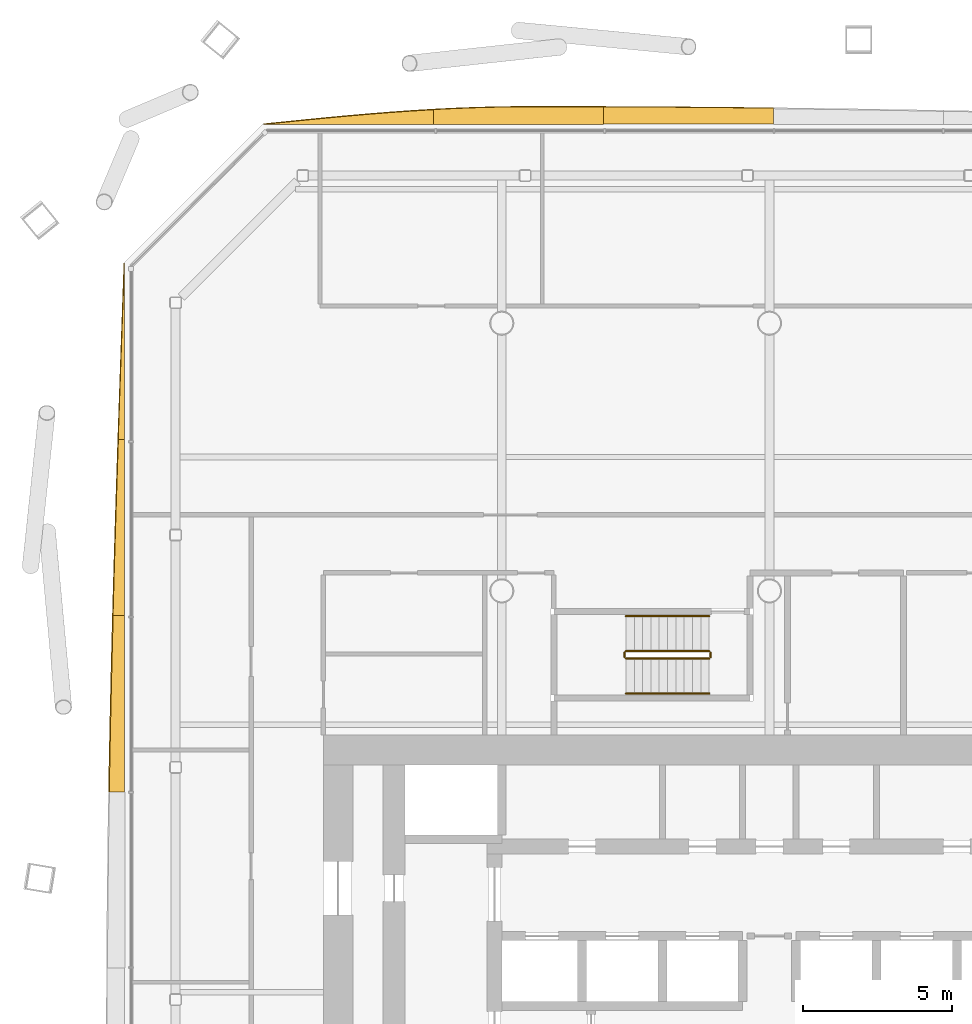
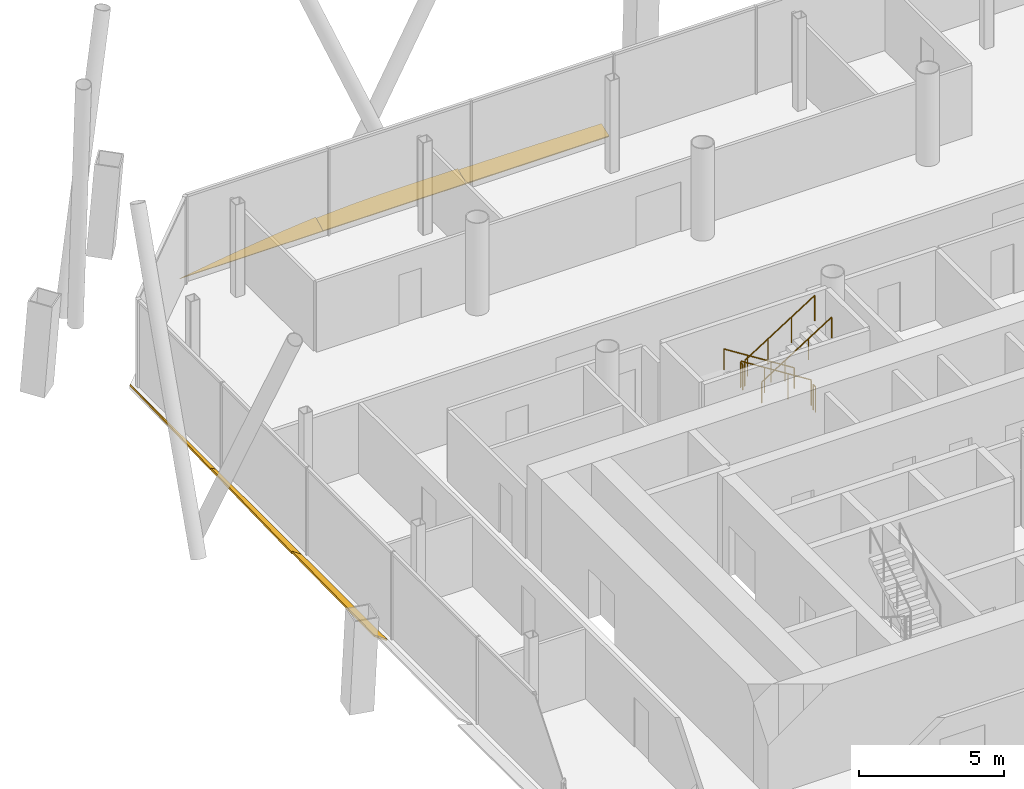
# One storey, part 21 of 22: 6 railings, 6 shading devices.
"""IFC4 building model written with IfcOpenShell, lengths in metres."""

from ifc_helpers import new_model, si_unit, direction, frame, origin, origin_2d, place, context, subcontext, project, spatial, polyline, circle, outline, extrude, material, layer, layer_set, type_object, element, save


model = new_model("IFC4")

# Units and contexts
model_context = context("Model", 3, precision=1e-05, world=origin(), true_north=direction((0.0, 1.0)))
body_context = subcontext(model_context, "Body", "Model", "MODEL_VIEW")
ifc_project = project(units=[si_unit("LENGTHUNIT", "METRE"), si_unit("AREAUNIT", "SQUARE_METRE"), si_unit("VOLUMEUNIT", "CUBIC_METRE"), si_unit("PLANEANGLEUNIT", "RADIAN"), si_unit("MASSUNIT", "GRAM", prefix="KILO")], contexts=[model_context])

# Site, building, storey
site_placement = place(None, origin())
site = spatial("IfcSite", under=ifc_project, at=site_placement, CompositionType="ELEMENT")
building_placement = place(site_placement, origin())
building = spatial("IfcBuilding", under=site, at=building_placement, Name="Tskaro Facet Tower", CompositionType="ELEMENT")
storey_placement = place(building_placement, frame((0.0, 0.0, 85.5)))
storey = spatial("IfcBuildingStorey", under=building, at=storey_placement, Name="L20", CompositionType="ELEMENT", Elevation=85.5)

# Shading devices
ifc_material_1 = material(Name="Bronze anodised aluminium 6063-T6", Category="aluminium")
ifc_layer = layer(ifc_material_1, 0.06005859375, Name="Bronze anodised aluminium 6063-T6")
ifc_layer_set = layer_set([ifc_layer], Name="Bronze anodised aluminium 6063-T6")
shading_device_type = type_object("IfcShadingDeviceType", Name="Bronze sun blade (FN1)", PredefinedType="USERDEFINED", material=ifc_layer_set)
shading_device_1_placement = place(storey_placement, frame((0.140380859375, 24.6923828125, 0.056396484375), z_axis=(-5.897711e-06, -0.341900294808, 0.939736233406), x_axis=(-0.999999999983, 2.016429e-06, -5.542293e-06)))
element("IfcShadingDevice", 1, at=shading_device_1_placement, inside=storey, type_object=shading_device_type, Name="Fin blade north 5", ObjectType="FIN", PredefinedType="USERDEFINED", context=body_context, shape_type="SweptSolid", body=[
    extrude(outline(polyline([(0.0, 0.0), (5.718994140525538, 0.0), (5.7189941406451235, -0.6198681906355855), (5.004150389670152, -0.6165517423412149), (4.289306640416793, -0.6126094949607919), (3.5744628905473634, -0.6076660646632539), (2.8596191410464487, -0.6021803070313269), (2.1445312503044676, -0.5956933664822851), (1.4296875000637042, -0.5884346708074913), (0.7148437501914552, -0.5806336477983086), (-2.968640489022583e-10, -0.571831441872011), (0.0, 0.0)])), origin(), (0.0, 0.0, -1.0), 0.06005859375),
])
shading_device_2_placement = place(storey_placement, frame((-5.57861328125, 24.687744140625, 0.054443359375), z_axis=(-3.791058e-06, -0.422559660353, 0.906335110998), x_axis=(-0.999999999993, 1.601948e-06, -3.435969e-06)))
element("IfcShadingDevice", 2, at=shading_device_2_placement, inside=storey, type_object=shading_device_type, Name="Fin blade north 6", ObjectType="FIN", PredefinedType="USERDEFINED", context=body_context, shape_type="SweptSolid", body=[
    extrude(outline(polyline([(0.0, 0.0), (5.719238281208901, 0.0), (5.719238281304203, -0.5454650681544171), (5.004394531367578, -0.5847861089529737), (4.289550781555286, -0.6149332365826206), (3.5744628904601266, -0.6354639046024375), (2.859619140618715, -0.6459505118328059), (2.4707031248265343, -0.6475876430943039), (2.144775390062776, -0.6473663698738439), (1.4299316405723301, -0.6464962222533053), (0.7150878907474421, -0.6448590909918072), (-3.688644383221376e-11, -0.6424549760893498), (0.0, 0.0)])), origin(), (0.0, 0.0, -1.0), 0.06005859375),
])
shading_device_3_placement = place(storey_placement, frame((-11.2978515625, 24.68310546875, 0.052001953125), z_axis=(3.998263e-06, -0.500000896548, 0.866024886152), x_axis=(-0.999999999992, -1.999135e-06, 3.462596e-06)))
element("IfcShadingDevice", 3, at=shading_device_3_placement, inside=storey, type_object=shading_device_type, Name="Fin blade north 7", ObjectType="FIN", PredefinedType="USERDEFINED", context=body_context, shape_type="SweptSolid", body=[
    extrude(outline(polyline([(0.0, 0.0), (5.7192382812042855, 0.0), (5.004150390411285, -0.08454775902130868), (4.289306640992911, -0.1677942176949855), (3.5744628904069375, -0.24861679832457376), (2.8596191403791336, -0.32529133684849676), (2.1447753906829905, -0.39693939663306743), (1.429687499621638, -0.46256047051321403), (0.714843750528134, -0.5207638968157171), (-1.1589068039175877e-10, -0.5708499615580647), (0.0, 0.0)])), origin(), (0.0, 0.0, -1.0), 0.06005859375),
])
shading_device_4_placement = place(storey_placement, frame((-21.687744140625, 20.01708984375, 0.054443359375), z_axis=(0.422841773854, -1.284834e-05, 0.906203527978), x_axis=(-5.432815e-06, -0.999999999917, -1.1643211e-05)))
element("IfcShadingDevice", 4, at=shading_device_4_placement, inside=storey, type_object=shading_device_type, Name="Fin blade west 1", ObjectType="FIN", PredefinedType="USERDEFINED", context=body_context, shape_type="SweptSolid", body=[
    extrude(outline(polyline([(0.0, 0.0), (5.924316405761008, 0.0), (5.924316406757347, -0.22707675568516875), (5.183593748879961, -0.19965821973933967), (4.443115233143764, -0.17191520984284137), (3.7026367189237783, -0.1438477259956738), (2.962158202051051, -0.11533775995707443), (2.2216796880209038, -0.08672456106352172), (1.4812011726643861, -0.05789012107425312), (0.7407226559814977, -0.028834439989268608), (0.0, 0.0)])), origin(), (0.0, 0.0, -1.0), 0.06005859375),
])
shading_device_5_placement = place(storey_placement, frame((-21.68310546875, 14.0927734375, 0.052001953125), z_axis=(0.500100058314, 5.39343e-07, 0.865967627382), x_axis=(2.69726e-07, -1.0, 4.67054e-07)))
element("IfcShadingDevice", 5, at=shading_device_5_placement, inside=storey, type_object=shading_device_type, Name="Fin blade west 2", ObjectType="FIN", PredefinedType="USERDEFINED", context=body_context, shape_type="SweptSolid", body=[
    extrude(outline(polyline([(0.0, 0.0), (5.9240722656241385, 1.5680888721561888e-22), (5.924072265637896, -0.4451792326218763), (5.183593749939497, -0.4219824190856385), (4.443115234390475, -0.3978178392974857), (3.7023925780719256, -0.3726527216535982), (2.961914062510078, -0.3470647682541529), (2.22143554691773, -0.32059837173977224), (1.4809570312290303, -0.293464949988235), (0.7404785156720325, -0.26590869248114013), (1.8682841476430557e-11, -0.2376854097368887), (0.0, 0.0)])), origin(), (0.0, 0.0, -1.0), 0.06005859375),
])
shading_device_6_placement = place(storey_placement, frame((-21.678466796875, 8.168701171875, 0.049072265625), z_axis=(0.573602158049, -8.359821e-06, 0.819134033118), x_axis=(-4.795211e-06, -0.999999999965, -6.847814e-06)))
element("IfcShadingDevice", 6, at=shading_device_6_placement, inside=storey, type_object=shading_device_type, Name="Fin blade west 3", ObjectType="FIN", PredefinedType="USERDEFINED", context=body_context, shape_type="SweptSolid", body=[
    extrude(outline(polyline([(0.0, 0.0), (5.924072265417993, 0.0), (5.924072266652094, -0.6305645532807228), (5.183593749692545, -0.6145839581541468), (4.443115234236366, -0.5975832925750205), (3.7026367179421453, -0.5791625887537217), (2.962158203151297, -0.5597218144798726), (2.2214355463962923, -0.5392010254480344), (1.480957030598944, -0.5174601820688347), (0.7404785163049665, -0.49469926823708477), (6.718248462101783e-10, -0.47085833964734575), (0.0, 0.0)])), origin(), (0.0, 0.0, -1.0), 0.06005859375),
])

# Railings
ifc_material_2 = material(Name="Stainless steel", Category="steel")
railing_type_1 = type_object("IfcRailingType", Name="RL-GUARD-1100", PredefinedType="GUARDRAIL", material=ifc_material_2)
railing_1_placement = place(storey_placement, frame((-2.02490234375, 6.97509765625, 0.17724609375)))
element("IfcRailing", 7, at=railing_1_placement, inside=storey, type_object=railing_type_1, Name="L20 ST-3 stair guard 1", PredefinedType="GUARDRAIL", context=body_context, shape_type="SweptSolid", body=[
    extrude(circle(Radius=0.02392578125, at=origin_2d()), frame((0.0, 0.0, 1.076171875), z_axis=(-0.844908973607, 0.0, 0.534910110503), x_axis=(0.0, -1.0, 0.0)), (0.0, 0.0, 1.0), 3.31396484375),
    extrude(circle(Radius=0.02099609375, at=origin_2d()), origin(), (0.0, 0.0, 1.0), 1.052001953125),
    extrude(circle(Radius=0.02099609375, at=origin_2d()), frame((-0.933349609375, 0.0, 0.5908203125)), (0.0, 0.0, 1.0), 1.052001953125),
    extrude(circle(Radius=0.02099609375, at=origin_2d()), frame((-1.86669921875, 0.0, 1.181884765625)), (0.0, 0.0, 1.0), 1.052001953125),
    extrude(circle(Radius=0.02099609375, at=origin_2d()), frame((-2.800048828125, 0.0, 1.772705078125)), (0.0, 0.0, 1.0), 1.052001953125),
])
railing_2_placement = place(storey_placement, frame((-4.875, 6.925048828125, 1.949951171875)))
element("IfcRailing", 8, at=railing_2_placement, inside=storey, type_object=railing_type_1, Name="L20 ST-3 stair guard 2", PredefinedType="GUARDRAIL", context=body_context, shape_type="SweptSolid", body=[
    extrude(circle(Radius=0.02392578125, at=origin_2d()), frame((0.0, 0.0, 1.076171875), z_axis=(0.0, -1.0, 0.0), x_axis=(1.0, 0.0, 0.0)), (0.0, 0.0, 1.0), 0.150146484375),
    extrude(circle(Radius=0.02099609375, at=origin_2d()), origin(), (0.0, 0.0, 1.0), 1.052001953125),
    extrude(circle(Radius=0.02099609375, at=origin_2d()), frame((0.0, -0.150146484375, 0.0)), (0.0, 0.0, 1.0), 1.052001953125),
])
railing_3_placement = place(storey_placement, frame((-4.824951171875, 6.72509765625, 2.127197265625)))
element("IfcRailing", 9, at=railing_3_placement, inside=storey, type_object=railing_type_1, Name="L20 ST-3 stair guard 3", PredefinedType="GUARDRAIL", context=body_context, shape_type="SweptSolid", body=[
    extrude(circle(Radius=0.02392578125, at=origin_2d()), frame((0.0, 0.0, 1.076171875), z_axis=(0.844908973607, 0.0, 0.534910110503), x_axis=(0.0, 1.0, 0.0)), (0.0, 0.0, 1.0), 3.31396484375),
    extrude(circle(Radius=0.02099609375, at=origin_2d()), origin(), (0.0, 0.0, 1.0), 1.052001953125),
    extrude(circle(Radius=0.02099609375, at=origin_2d()), frame((0.933349609375, 0.0, 0.5908203125)), (0.0, 0.0, 1.0), 1.052001953125),
    extrude(circle(Radius=0.02099609375, at=origin_2d()), frame((1.86669921875, 0.0, 1.181884765625)), (0.0, 0.0, 1.0), 1.052001953125),
    extrude(circle(Radius=0.02099609375, at=origin_2d()), frame((2.800048828125, 0.0, 1.772705078125)), (0.0, 0.0, 1.0), 1.052001953125),
])
railing_4_placement = place(storey_placement, frame((-1.97509765625, 6.925048828125, 0.0)))
element("IfcRailing", 10, at=railing_4_placement, inside=storey, type_object=railing_type_1, Name="L20 ST-3 stair guard 4", PredefinedType="GUARDRAIL", context=body_context, shape_type="SweptSolid", body=[
    extrude(circle(Radius=0.02392578125, at=origin_2d()), frame((0.0, 0.0, 1.076171875), z_axis=(0.0, -1.0, 0.0), x_axis=(1.0, 0.0, 0.0)), (0.0, 0.0, 1.0), 0.150146484375),
    extrude(circle(Radius=0.02099609375, at=origin_2d()), origin(), (0.0, 0.0, 1.0), 1.052001953125),
    extrude(circle(Radius=0.02099609375, at=origin_2d()), frame((0.0, -0.150146484375, 0.0)), (0.0, 0.0, 1.0), 1.052001953125),
])
railing_type_2 = type_object("IfcRailingType", Name="RL-HANDRAIL-900", PredefinedType="HANDRAIL", material=ifc_material_2)
railing_5_placement = place(storey_placement, frame((-2.02490234375, 8.14990234375, 0.17724609375)))
element("IfcRailing", 11, at=railing_5_placement, inside=storey, type_object=railing_type_2, Name="L20 ST-3 stair handrail 1", PredefinedType="HANDRAIL", context=body_context, shape_type="SweptSolid", body=[
    extrude(circle(Radius=0.02392578125, at=origin_2d()), frame((0.0, 0.0, 0.8759765625), z_axis=(-0.844908973607, 0.0, 0.534910110503), x_axis=(0.0, -1.0, 0.0)), (0.0, 0.0, 1.0), 3.31396484375),
    extrude(circle(Radius=0.02099609375, at=origin_2d()), origin(), (0.0, 0.0, 1.0), 0.851806640625),
    extrude(circle(Radius=0.02099609375, at=origin_2d()), frame((-0.933349609375, 0.0, 0.5908203125)), (0.0, 0.0, 1.0), 0.851806640625),
    extrude(circle(Radius=0.02099609375, at=origin_2d()), frame((-1.86669921875, 0.0, 1.181884765625)), (0.0, 0.0, 1.0), 0.851806640625),
    extrude(circle(Radius=0.02099609375, at=origin_2d()), frame((-2.800048828125, 0.0, 1.772705078125)), (0.0, 0.0, 1.0), 0.851806640625),
])
railing_6_placement = place(storey_placement, frame((-4.824951171875, 5.550048828125, 2.127197265625)))
element("IfcRailing", 12, at=railing_6_placement, inside=storey, type_object=railing_type_2, Name="L20 ST-3 stair handrail 2", PredefinedType="HANDRAIL", context=body_context, shape_type="SweptSolid", body=[
    extrude(circle(Radius=0.02392578125, at=origin_2d()), frame((0.0, 0.0, 0.8759765625), z_axis=(0.844908973607, 0.0, 0.534910110503), x_axis=(0.0, 1.0, 0.0)), (0.0, 0.0, 1.0), 3.31396484375),
    extrude(circle(Radius=0.02099609375, at=origin_2d()), origin(), (0.0, 0.0, 1.0), 0.851806640625),
    extrude(circle(Radius=0.02099609375, at=origin_2d()), frame((0.933349609375, 0.0, 0.5908203125)), (0.0, 0.0, 1.0), 0.851806640625),
    extrude(circle(Radius=0.02099609375, at=origin_2d()), frame((1.86669921875, 0.0, 1.181884765625)), (0.0, 0.0, 1.0), 0.851806640625),
    extrude(circle(Radius=0.02099609375, at=origin_2d()), frame((2.800048828125, 0.0, 1.772705078125)), (0.0, 0.0, 1.0), 0.851806640625),
])

save(model, "model.ifc")
